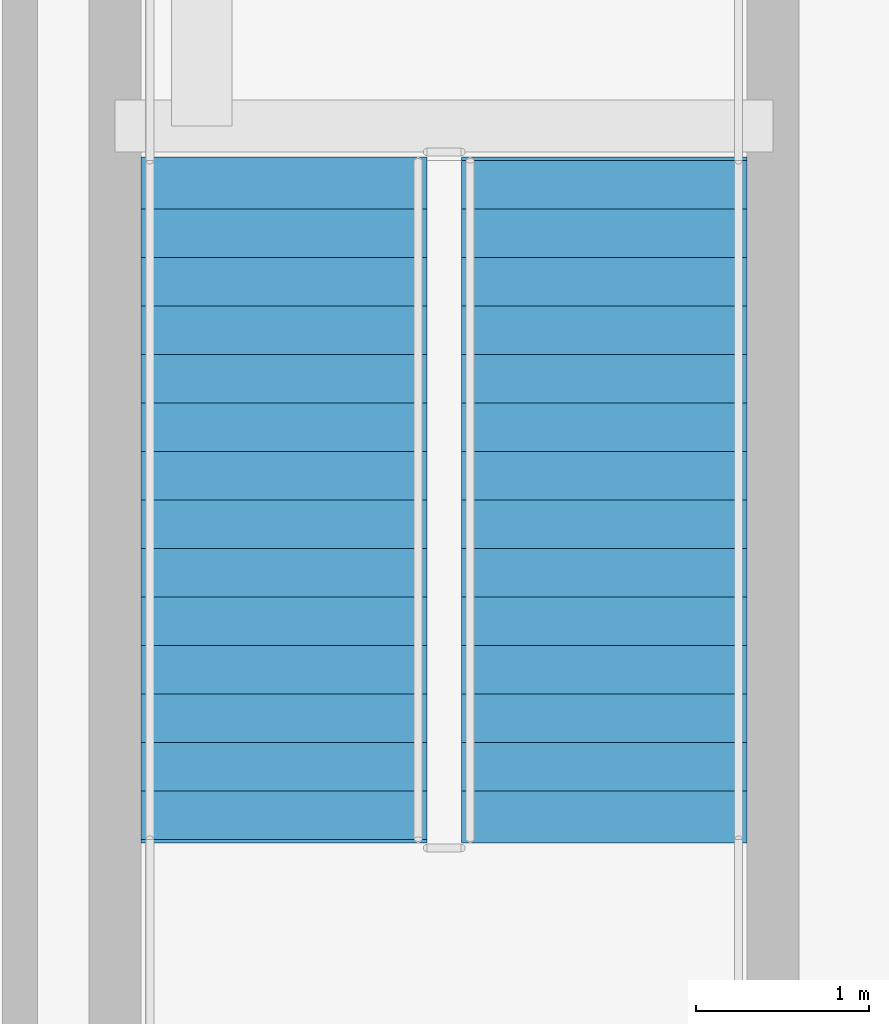
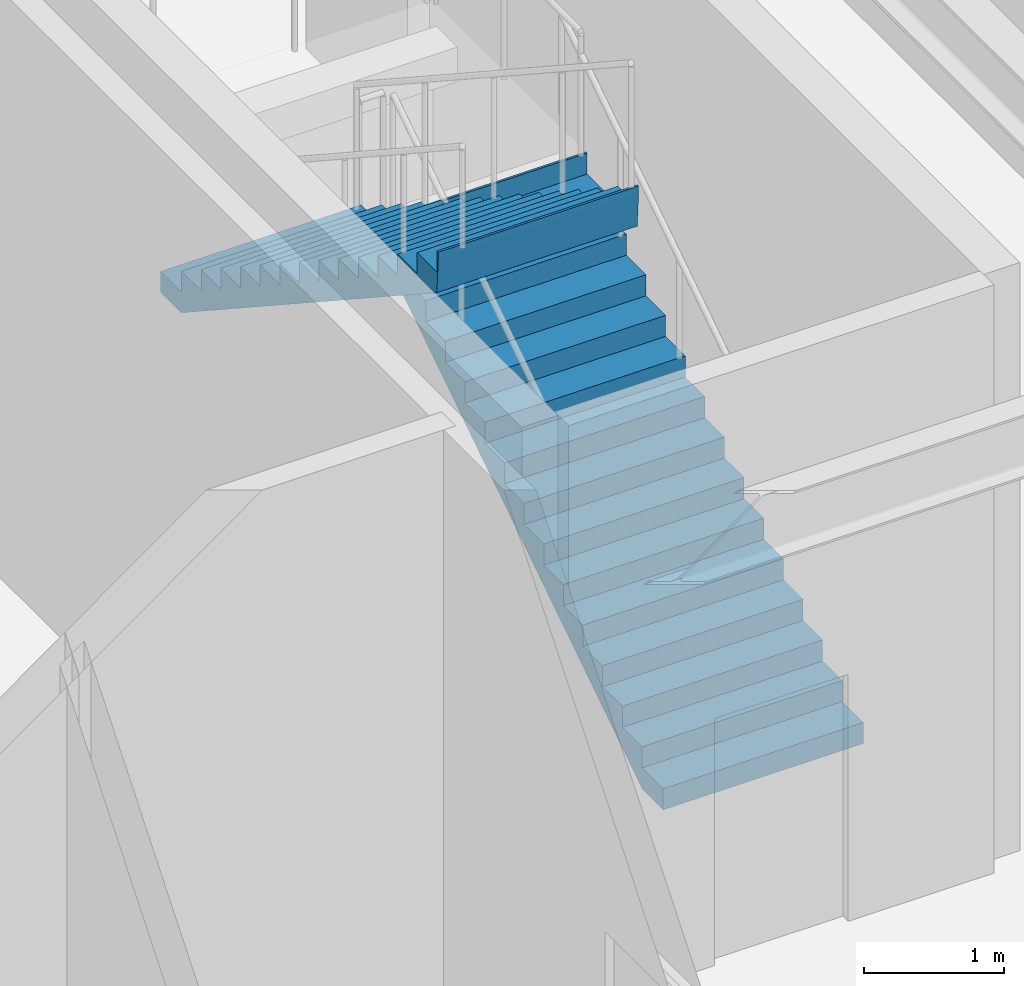
# One storey, part 10 of 15: 2 stair flights, 1 element without a shape of its own.
"""IFC4 building model written with IfcOpenShell, lengths in metres."""

from ifc_helpers import new_model, si_unit, direction, frame, origin, place, context, subcontext, project, spatial, polygons, material, type_object, element, aggregate, save


model = new_model("IFC4")

# Units and contexts
model_context = context("Model", 3, precision=1e-05, world=origin(), true_north=direction((0.0, 1.0)))
body_context = subcontext(model_context, "Body", "Model", "MODEL_VIEW")
ifc_project = project(units=[si_unit("LENGTHUNIT", "METRE"), si_unit("AREAUNIT", "SQUARE_METRE"), si_unit("VOLUMEUNIT", "CUBIC_METRE"), si_unit("PLANEANGLEUNIT", "RADIAN"), si_unit("MASSUNIT", "GRAM", prefix="KILO")], contexts=[model_context])

# Site, building, storey
site_placement = place(None, origin())
site = spatial("IfcSite", under=ifc_project, at=site_placement, CompositionType="ELEMENT")
building_placement = place(site_placement, origin())
building = spatial("IfcBuilding", under=site, at=building_placement, Name="Serunith Strait Residences", CompositionType="ELEMENT")
storey_placement = place(building_placement, origin())
storey = spatial("IfcBuildingStorey", under=building, at=storey_placement, Name="L00", CompositionType="ELEMENT", Elevation=0.0)

# Stair, stair flights
ifc_material = material(Name="Concrete C50/60", Category="concrete")
stair_type = type_object("IfcStairType", Name="STR-POD-4", PredefinedType="HALF_TURN_STAIR", material=ifc_material)
stair_placement = place(storey_placement, origin())
stair = element("IfcStair", 1, at=stair_placement, inside=storey, type_object=stair_type, Name="L00 Podium Escape Stair ST-4", PredefinedType="HALF_TURN_STAIR")
stair_flight_type = type_object("IfcStairFlightType", Name="FLT-POD-4", PredefinedType="STRAIGHT", material=ifc_material)
stair_flight_1_placement = place(storey_placement, frame((49.77490234375, 36.8798828125, 0.0), z_axis=(0.0, 0.0, 1.0), x_axis=(0.0, 1.0, 0.0)))
stair_flight_1 = element("IfcStairFlight", 2, at=stair_flight_1_placement, type_object=stair_flight_type, Name="ST-4 flight 1", NumberOfRisers=15, NumberOfTreads=14, PredefinedType="STRAIGHT", RiserHeight=0.183333333, TreadLength=0.28, context=body_context, shape_type="Tessellation", body=[
    polygons([(-0.02001953125, -0.824951171875, 0.0), (-0.02001953125, -0.824951171875, 0.183349609375), (0.280029296875, -0.824951171875, 0.183349609375), (0.280029296875, -0.824951171875, 0.36669921875), (0.56005859375, -0.824951171875, 0.36669921875), (0.56005859375, -0.824951171875, 0.550048828125), (0.840087890625, -0.824951171875, 0.550048828125), (0.840087890625, -0.824951171875, 0.7333984375), (1.1201171875, -0.824951171875, 0.7333984375), (1.1201171875, -0.824951171875, 0.916748046875), (1.39990234375, -0.824951171875, 0.916748046875), (1.39990234375, -0.824951171875, 1.10009765625), (1.679931640625, -0.824951171875, 1.10009765625), (1.679931640625, -0.824951171875, 1.283447265625), (1.9599609375, -0.824951171875, 1.283447265625), (1.9599609375, -0.824951171875, 1.466552734375), (2.239990234375, -0.824951171875, 1.466552734375), (2.239990234375, -0.824951171875, 1.64990234375), (2.52001953125, -0.824951171875, 1.64990234375), (2.52001953125, -0.824951171875, 1.833251953125), (2.800048828125, -0.824951171875, 1.833251953125), (2.800048828125, -0.824951171875, 2.0166015625), (3.080078125, -0.824951171875, 2.0166015625), (3.080078125, -0.824951171875, 2.199951171875), (3.360107421875, -0.824951171875, 2.199951171875), (3.360107421875, -0.824951171875, 2.38330078125), (3.639892578125, -0.824951171875, 2.38330078125), (3.639892578125, -0.824951171875, 2.566650390625), (3.919921875, -0.824951171875, 2.566650390625), (3.919921875, -0.824951171875, 2.75), (3.93994140625, -0.824951171875, 2.75), (3.93994140625, -0.824951171875, 2.68994140625), (3.919921875, -0.824951171875, 2.387451171875), (0.273681640625, -0.824951171875, 0.0), (-0.02001953125, -0.41259765625, 0.0), (-0.02001953125, -0.41259765625, 0.183349609375), (0.280029296875, -0.41259765625, 0.183349609375), (0.280029296875, -0.41259765625, 0.36669921875), (0.56005859375, -0.41259765625, 0.36669921875), (0.56005859375, -0.41259765625, 0.550048828125), (0.840087890625, -0.41259765625, 0.550048828125), (0.840087890625, -0.41259765625, 0.7333984375), (1.1201171875, -0.41259765625, 0.7333984375), (1.1201171875, -0.41259765625, 0.916748046875), (1.39990234375, -0.41259765625, 0.916748046875), (1.39990234375, -0.41259765625, 1.10009765625), (1.679931640625, -0.41259765625, 1.10009765625), (1.679931640625, -0.41259765625, 1.283447265625), (1.9599609375, -0.41259765625, 1.283447265625), (1.9599609375, -0.41259765625, 1.466552734375), (2.239990234375, -0.41259765625, 1.466552734375), (2.239990234375, -0.41259765625, 1.64990234375), (2.52001953125, -0.41259765625, 1.64990234375), (2.52001953125, -0.41259765625, 1.833251953125), (2.800048828125, -0.41259765625, 1.833251953125), (2.800048828125, -0.41259765625, 2.0166015625), (3.080078125, -0.41259765625, 2.0166015625), (3.080078125, -0.41259765625, 2.199951171875), (3.360107421875, -0.41259765625, 2.199951171875), (3.360107421875, -0.41259765625, 2.38330078125), (3.639892578125, -0.41259765625, 2.38330078125), (3.639892578125, -0.41259765625, 2.566650390625), (3.919921875, -0.41259765625, 2.566650390625), (3.919921875, -0.41259765625, 2.75), (3.93994140625, -0.41259765625, 2.75), (3.93994140625, -0.41259765625, 2.68994140625), (3.919921875, -0.41259765625, 2.387451171875), (0.273681640625, -0.41259765625, 0.0), (-0.02001953125, 0.0, 0.0), (-0.02001953125, 0.0, 0.183349609375), (0.280029296875, 0.0, 0.183349609375), (0.280029296875, 0.0, 0.36669921875), (0.56005859375, 0.0, 0.36669921875), (0.56005859375, 0.0, 0.550048828125), (0.840087890625, 0.0, 0.550048828125), (0.840087890625, 0.0, 0.7333984375), (1.1201171875, 0.0, 0.7333984375), (1.1201171875, 0.0, 0.916748046875), (1.39990234375, 0.0, 0.916748046875), (1.39990234375, 0.0, 1.10009765625), (1.679931640625, 0.0, 1.10009765625), (1.679931640625, 0.0, 1.283447265625), (1.9599609375, 0.0, 1.283447265625), (1.9599609375, 0.0, 1.466552734375), (2.239990234375, 0.0, 1.466552734375), (2.239990234375, 0.0, 1.64990234375), (2.52001953125, 0.0, 1.64990234375), (2.52001953125, 0.0, 1.833251953125), (2.800048828125, 0.0, 1.833251953125), (2.800048828125, 0.0, 2.0166015625), (3.080078125, 0.0, 2.0166015625), (3.080078125, 0.0, 2.199951171875), (3.360107421875, 0.0, 2.199951171875), (3.360107421875, 0.0, 2.38330078125), (3.639892578125, 0.0, 2.38330078125), (3.639892578125, 0.0, 2.566650390625), (3.919921875, 0.0, 2.566650390625), (3.919921875, 0.0, 2.75), (3.93994140625, 0.0, 2.75), (3.93994140625, 0.0, 2.68994140625), (3.919921875, 0.0, 2.387451171875), (0.273681640625, 0.0, 0.0), (-0.02001953125, 0.41259765625, 0.0), (-0.02001953125, 0.41259765625, 0.183349609375), (0.280029296875, 0.41259765625, 0.183349609375), (0.280029296875, 0.41259765625, 0.36669921875), (0.56005859375, 0.41259765625, 0.36669921875), (0.56005859375, 0.41259765625, 0.550048828125), (0.840087890625, 0.41259765625, 0.550048828125), (0.840087890625, 0.41259765625, 0.7333984375), (1.1201171875, 0.41259765625, 0.7333984375), (1.1201171875, 0.41259765625, 0.916748046875), (1.39990234375, 0.41259765625, 0.916748046875), (1.39990234375, 0.41259765625, 1.10009765625), (1.679931640625, 0.41259765625, 1.10009765625), (1.679931640625, 0.41259765625, 1.283447265625), (1.9599609375, 0.41259765625, 1.283447265625), (1.9599609375, 0.41259765625, 1.466552734375), (2.239990234375, 0.41259765625, 1.466552734375), (2.239990234375, 0.41259765625, 1.64990234375), (2.52001953125, 0.41259765625, 1.64990234375), (2.52001953125, 0.41259765625, 1.833251953125), (2.800048828125, 0.41259765625, 1.833251953125), (2.800048828125, 0.41259765625, 2.0166015625), (3.080078125, 0.41259765625, 2.0166015625), (3.080078125, 0.41259765625, 2.199951171875), (3.360107421875, 0.41259765625, 2.199951171875), (3.360107421875, 0.41259765625, 2.38330078125), (3.639892578125, 0.41259765625, 2.38330078125), (3.639892578125, 0.41259765625, 2.566650390625), (3.919921875, 0.41259765625, 2.566650390625), (3.919921875, 0.41259765625, 2.75), (3.93994140625, 0.41259765625, 2.75), (3.93994140625, 0.41259765625, 2.68994140625), (3.919921875, 0.41259765625, 2.387451171875), (0.273681640625, 0.41259765625, 0.0), (-0.02001953125, 0.824951171875, 0.0), (-0.02001953125, 0.824951171875, 0.183349609375), (0.280029296875, 0.824951171875, 0.183349609375), (0.280029296875, 0.824951171875, 0.36669921875), (0.56005859375, 0.824951171875, 0.36669921875), (0.56005859375, 0.824951171875, 0.550048828125), (0.840087890625, 0.824951171875, 0.550048828125), (0.840087890625, 0.824951171875, 0.7333984375), (1.1201171875, 0.824951171875, 0.7333984375), (1.1201171875, 0.824951171875, 0.916748046875), (1.39990234375, 0.824951171875, 0.916748046875), (1.39990234375, 0.824951171875, 1.10009765625), (1.679931640625, 0.824951171875, 1.10009765625), (1.679931640625, 0.824951171875, 1.283447265625), (1.9599609375, 0.824951171875, 1.283447265625), (1.9599609375, 0.824951171875, 1.466552734375), (2.239990234375, 0.824951171875, 1.466552734375), (2.239990234375, 0.824951171875, 1.64990234375), (2.52001953125, 0.824951171875, 1.64990234375), (2.52001953125, 0.824951171875, 1.833251953125), (2.800048828125, 0.824951171875, 1.833251953125), (2.800048828125, 0.824951171875, 2.0166015625), (3.080078125, 0.824951171875, 2.0166015625), (3.080078125, 0.824951171875, 2.199951171875), (3.360107421875, 0.824951171875, 2.199951171875), (3.360107421875, 0.824951171875, 2.38330078125), (3.639892578125, 0.824951171875, 2.38330078125), (3.639892578125, 0.824951171875, 2.566650390625), (3.919921875, 0.824951171875, 2.566650390625), (3.919921875, 0.824951171875, 2.75), (3.93994140625, 0.824951171875, 2.75), (3.93994140625, 0.824951171875, 2.68994140625), (3.919921875, 0.824951171875, 2.387451171875), (0.273681640625, 0.824951171875, 0.0)], [[[1, 2, 36, 35]], [[2, 3, 37, 36]], [[3, 4, 38, 37]], [[4, 5, 39, 38]], [[5, 6, 40, 39]], [[6, 7, 41, 40]], [[7, 8, 42, 41]], [[8, 9, 43, 42]], [[9, 10, 44, 43]], [[10, 11, 45, 44]], [[11, 12, 46, 45]], [[12, 13, 47, 46]], [[13, 14, 48, 47]], [[14, 15, 49, 48]], [[15, 16, 50, 49]], [[16, 17, 51, 50]], [[17, 18, 52, 51]], [[18, 19, 53, 52]], [[19, 20, 54, 53]], [[20, 21, 55, 54]], [[21, 22, 56, 55]], [[22, 23, 57, 56]], [[23, 24, 58, 57]], [[24, 25, 59, 58]], [[25, 26, 60, 59]], [[26, 27, 61, 60]], [[27, 28, 62, 61]], [[28, 29, 63, 62]], [[29, 30, 64, 63]], [[30, 31, 65, 64]], [[31, 32, 66, 65]], [[32, 33, 67, 66]], [[33, 34, 68, 67]], [[34, 1, 35, 68]], [[35, 36, 70, 69]], [[36, 37, 71, 70]], [[37, 38, 72, 71]], [[38, 39, 73, 72]], [[39, 40, 74, 73]], [[40, 41, 75, 74]], [[41, 42, 76, 75]], [[42, 43, 77, 76]], [[43, 44, 78, 77]], [[44, 45, 79, 78]], [[45, 46, 80, 79]], [[46, 47, 81, 80]], [[47, 48, 82, 81]], [[48, 49, 83, 82]], [[49, 50, 84, 83]], [[50, 51, 85, 84]], [[51, 52, 86, 85]], [[52, 53, 87, 86]], [[53, 54, 88, 87]], [[54, 55, 89, 88]], [[55, 56, 90, 89]], [[56, 57, 91, 90]], [[57, 58, 92, 91]], [[58, 59, 93, 92]], [[59, 60, 94, 93]], [[60, 61, 95, 94]], [[61, 62, 96, 95]], [[62, 63, 97, 96]], [[63, 64, 98, 97]], [[64, 65, 99, 98]], [[65, 66, 100, 99]], [[66, 67, 101, 100]], [[67, 68, 102, 101]], [[68, 35, 69, 102]], [[69, 70, 104, 103]], [[70, 71, 105, 104]], [[71, 72, 106, 105]], [[72, 73, 107, 106]], [[73, 74, 108, 107]], [[74, 75, 109, 108]], [[75, 76, 110, 109]], [[76, 77, 111, 110]], [[77, 78, 112, 111]], [[78, 79, 113, 112]], [[79, 80, 114, 113]], [[80, 81, 115, 114]], [[81, 82, 116, 115]], [[82, 83, 117, 116]], [[83, 84, 118, 117]], [[84, 85, 119, 118]], [[85, 86, 120, 119]], [[86, 87, 121, 120]], [[87, 88, 122, 121]], [[88, 89, 123, 122]], [[89, 90, 124, 123]], [[90, 91, 125, 124]], [[91, 92, 126, 125]], [[92, 93, 127, 126]], [[93, 94, 128, 127]], [[94, 95, 129, 128]], [[95, 96, 130, 129]], [[96, 97, 131, 130]], [[97, 98, 132, 131]], [[98, 99, 133, 132]], [[99, 100, 134, 133]], [[100, 101, 135, 134]], [[101, 102, 136, 135]], [[102, 69, 103, 136]], [[103, 104, 138, 137]], [[104, 105, 139, 138]], [[105, 106, 140, 139]], [[106, 107, 141, 140]], [[107, 108, 142, 141]], [[108, 109, 143, 142]], [[109, 110, 144, 143]], [[110, 111, 145, 144]], [[111, 112, 146, 145]], [[112, 113, 147, 146]], [[113, 114, 148, 147]], [[114, 115, 149, 148]], [[115, 116, 150, 149]], [[116, 117, 151, 150]], [[117, 118, 152, 151]], [[118, 119, 153, 152]], [[119, 120, 154, 153]], [[120, 121, 155, 154]], [[121, 122, 156, 155]], [[122, 123, 157, 156]], [[123, 124, 158, 157]], [[124, 125, 159, 158]], [[125, 126, 160, 159]], [[126, 127, 161, 160]], [[127, 128, 162, 161]], [[128, 129, 163, 162]], [[129, 130, 164, 163]], [[130, 131, 165, 164]], [[131, 132, 166, 165]], [[132, 133, 167, 166]], [[133, 134, 168, 167]], [[134, 135, 169, 168]], [[135, 136, 170, 169]], [[136, 103, 137, 170]], [[34, 33, 32, 31, 30, 29, 28, 27, 26, 25, 24, 23, 22, 21, 20, 19, 18, 17, 16, 15, 14, 13, 12, 11, 10, 9, 8, 7, 6, 5, 4, 3, 2, 1]], [[137, 138, 139, 140, 141, 142, 143, 144, 145, 146, 147, 148, 149, 150, 151, 152, 153, 154, 155, 156, 157, 158, 159, 160, 161, 162, 163, 164, 165, 166, 167, 168, 169, 170]]], closed=True),
])
stair_flight_2_placement = place(storey_placement, frame((47.925048828125, 40.800048828125, 2.75), z_axis=(0.0, 0.0, 1.0), x_axis=(0.0, -1.0, 0.0)))
stair_flight_2 = element("IfcStairFlight", 3, at=stair_flight_2_placement, type_object=stair_flight_type, Name="ST-4 flight 2", NumberOfRisers=15, NumberOfTreads=14, PredefinedType="STRAIGHT", RiserHeight=0.183333333, TreadLength=0.28, context=body_context, shape_type="Tessellation", body=[
    polygons([(-0.02001953125, -0.824951171875, 0.0), (-0.02001953125, -0.824951171875, 0.183349609375), (0.280029296875, -0.824951171875, 0.183349609375), (0.280029296875, -0.824951171875, 0.36669921875), (0.56005859375, -0.824951171875, 0.36669921875), (0.56005859375, -0.824951171875, 0.550048828125), (0.840087890625, -0.824951171875, 0.550048828125), (0.840087890625, -0.824951171875, 0.7333984375), (1.1201171875, -0.824951171875, 0.7333984375), (1.1201171875, -0.824951171875, 0.916748046875), (1.39990234375, -0.824951171875, 0.916748046875), (1.39990234375, -0.824951171875, 1.10009765625), (1.679931640625, -0.824951171875, 1.10009765625), (1.679931640625, -0.824951171875, 1.283447265625), (1.9599609375, -0.824951171875, 1.283447265625), (1.9599609375, -0.824951171875, 1.466552734375), (2.239990234375, -0.824951171875, 1.466552734375), (2.239990234375, -0.824951171875, 1.64990234375), (2.52001953125, -0.824951171875, 1.64990234375), (2.52001953125, -0.824951171875, 1.833251953125), (2.800048828125, -0.824951171875, 1.833251953125), (2.800048828125, -0.824951171875, 2.0166015625), (3.080078125, -0.824951171875, 2.0166015625), (3.080078125, -0.824951171875, 2.199951171875), (3.360107421875, -0.824951171875, 2.199951171875), (3.360107421875, -0.824951171875, 2.38330078125), (3.639892578125, -0.824951171875, 2.38330078125), (3.639892578125, -0.824951171875, 2.566650390625), (3.919921875, -0.824951171875, 2.566650390625), (3.919921875, -0.824951171875, 2.75), (3.93994140625, -0.824951171875, 2.75), (3.93994140625, -0.824951171875, 2.68994140625), (3.919921875, -0.824951171875, 2.387451171875), (0.273681640625, -0.824951171875, 0.0), (-0.02001953125, -0.41259765625, 0.0), (-0.02001953125, -0.41259765625, 0.183349609375), (0.280029296875, -0.41259765625, 0.183349609375), (0.280029296875, -0.41259765625, 0.36669921875), (0.56005859375, -0.41259765625, 0.36669921875), (0.56005859375, -0.41259765625, 0.550048828125), (0.840087890625, -0.41259765625, 0.550048828125), (0.840087890625, -0.41259765625, 0.7333984375), (1.1201171875, -0.41259765625, 0.7333984375), (1.1201171875, -0.41259765625, 0.916748046875), (1.39990234375, -0.41259765625, 0.916748046875), (1.39990234375, -0.41259765625, 1.10009765625), (1.679931640625, -0.41259765625, 1.10009765625), (1.679931640625, -0.41259765625, 1.283447265625), (1.9599609375, -0.41259765625, 1.283447265625), (1.9599609375, -0.41259765625, 1.466552734375), (2.239990234375, -0.41259765625, 1.466552734375), (2.239990234375, -0.41259765625, 1.64990234375), (2.52001953125, -0.41259765625, 1.64990234375), (2.52001953125, -0.41259765625, 1.833251953125), (2.800048828125, -0.41259765625, 1.833251953125), (2.800048828125, -0.41259765625, 2.0166015625), (3.080078125, -0.41259765625, 2.0166015625), (3.080078125, -0.41259765625, 2.199951171875), (3.360107421875, -0.41259765625, 2.199951171875), (3.360107421875, -0.41259765625, 2.38330078125), (3.639892578125, -0.41259765625, 2.38330078125), (3.639892578125, -0.41259765625, 2.566650390625), (3.919921875, -0.41259765625, 2.566650390625), (3.919921875, -0.41259765625, 2.75), (3.93994140625, -0.41259765625, 2.75), (3.93994140625, -0.41259765625, 2.68994140625), (3.919921875, -0.41259765625, 2.387451171875), (0.273681640625, -0.41259765625, 0.0), (-0.02001953125, 0.0, 0.0), (-0.02001953125, 0.0, 0.183349609375), (0.280029296875, 0.0, 0.183349609375), (0.280029296875, 0.0, 0.36669921875), (0.56005859375, 0.0, 0.36669921875), (0.56005859375, 0.0, 0.550048828125), (0.840087890625, 0.0, 0.550048828125), (0.840087890625, 0.0, 0.7333984375), (1.1201171875, 0.0, 0.7333984375), (1.1201171875, 0.0, 0.916748046875), (1.39990234375, 0.0, 0.916748046875), (1.39990234375, 0.0, 1.10009765625), (1.679931640625, 0.0, 1.10009765625), (1.679931640625, 0.0, 1.283447265625), (1.9599609375, 0.0, 1.283447265625), (1.9599609375, 0.0, 1.466552734375), (2.239990234375, 0.0, 1.466552734375), (2.239990234375, 0.0, 1.64990234375), (2.52001953125, 0.0, 1.64990234375), (2.52001953125, 0.0, 1.833251953125), (2.800048828125, 0.0, 1.833251953125), (2.800048828125, 0.0, 2.0166015625), (3.080078125, 0.0, 2.0166015625), (3.080078125, 0.0, 2.199951171875), (3.360107421875, 0.0, 2.199951171875), (3.360107421875, 0.0, 2.38330078125), (3.639892578125, 0.0, 2.38330078125), (3.639892578125, 0.0, 2.566650390625), (3.919921875, 0.0, 2.566650390625), (3.919921875, 0.0, 2.75), (3.93994140625, 0.0, 2.75), (3.93994140625, 0.0, 2.68994140625), (3.919921875, 0.0, 2.387451171875), (0.273681640625, 0.0, 0.0), (-0.02001953125, 0.41259765625, 0.0), (-0.02001953125, 0.41259765625, 0.183349609375), (0.280029296875, 0.41259765625, 0.183349609375), (0.280029296875, 0.41259765625, 0.36669921875), (0.56005859375, 0.41259765625, 0.36669921875), (0.56005859375, 0.41259765625, 0.550048828125), (0.840087890625, 0.41259765625, 0.550048828125), (0.840087890625, 0.41259765625, 0.7333984375), (1.1201171875, 0.41259765625, 0.7333984375), (1.1201171875, 0.41259765625, 0.916748046875), (1.39990234375, 0.41259765625, 0.916748046875), (1.39990234375, 0.41259765625, 1.10009765625), (1.679931640625, 0.41259765625, 1.10009765625), (1.679931640625, 0.41259765625, 1.283447265625), (1.9599609375, 0.41259765625, 1.283447265625), (1.9599609375, 0.41259765625, 1.466552734375), (2.239990234375, 0.41259765625, 1.466552734375), (2.239990234375, 0.41259765625, 1.64990234375), (2.52001953125, 0.41259765625, 1.64990234375), (2.52001953125, 0.41259765625, 1.833251953125), (2.800048828125, 0.41259765625, 1.833251953125), (2.800048828125, 0.41259765625, 2.0166015625), (3.080078125, 0.41259765625, 2.0166015625), (3.080078125, 0.41259765625, 2.199951171875), (3.360107421875, 0.41259765625, 2.199951171875), (3.360107421875, 0.41259765625, 2.38330078125), (3.639892578125, 0.41259765625, 2.38330078125), (3.639892578125, 0.41259765625, 2.566650390625), (3.919921875, 0.41259765625, 2.566650390625), (3.919921875, 0.41259765625, 2.75), (3.93994140625, 0.41259765625, 2.75), (3.93994140625, 0.41259765625, 2.68994140625), (3.919921875, 0.41259765625, 2.387451171875), (0.273681640625, 0.41259765625, 0.0), (-0.02001953125, 0.824951171875, 0.0), (-0.02001953125, 0.824951171875, 0.183349609375), (0.280029296875, 0.824951171875, 0.183349609375), (0.280029296875, 0.824951171875, 0.36669921875), (0.56005859375, 0.824951171875, 0.36669921875), (0.56005859375, 0.824951171875, 0.550048828125), (0.840087890625, 0.824951171875, 0.550048828125), (0.840087890625, 0.824951171875, 0.7333984375), (1.1201171875, 0.824951171875, 0.7333984375), (1.1201171875, 0.824951171875, 0.916748046875), (1.39990234375, 0.824951171875, 0.916748046875), (1.39990234375, 0.824951171875, 1.10009765625), (1.679931640625, 0.824951171875, 1.10009765625), (1.679931640625, 0.824951171875, 1.283447265625), (1.9599609375, 0.824951171875, 1.283447265625), (1.9599609375, 0.824951171875, 1.466552734375), (2.239990234375, 0.824951171875, 1.466552734375), (2.239990234375, 0.824951171875, 1.64990234375), (2.52001953125, 0.824951171875, 1.64990234375), (2.52001953125, 0.824951171875, 1.833251953125), (2.800048828125, 0.824951171875, 1.833251953125), (2.800048828125, 0.824951171875, 2.0166015625), (3.080078125, 0.824951171875, 2.0166015625), (3.080078125, 0.824951171875, 2.199951171875), (3.360107421875, 0.824951171875, 2.199951171875), (3.360107421875, 0.824951171875, 2.38330078125), (3.639892578125, 0.824951171875, 2.38330078125), (3.639892578125, 0.824951171875, 2.566650390625), (3.919921875, 0.824951171875, 2.566650390625), (3.919921875, 0.824951171875, 2.75), (3.93994140625, 0.824951171875, 2.75), (3.93994140625, 0.824951171875, 2.68994140625), (3.919921875, 0.824951171875, 2.387451171875), (0.273681640625, 0.824951171875, 0.0)], [[[1, 2, 36, 35]], [[2, 3, 37, 36]], [[3, 4, 38, 37]], [[4, 5, 39, 38]], [[5, 6, 40, 39]], [[6, 7, 41, 40]], [[7, 8, 42, 41]], [[8, 9, 43, 42]], [[9, 10, 44, 43]], [[10, 11, 45, 44]], [[11, 12, 46, 45]], [[12, 13, 47, 46]], [[13, 14, 48, 47]], [[14, 15, 49, 48]], [[15, 16, 50, 49]], [[16, 17, 51, 50]], [[17, 18, 52, 51]], [[18, 19, 53, 52]], [[19, 20, 54, 53]], [[20, 21, 55, 54]], [[21, 22, 56, 55]], [[22, 23, 57, 56]], [[23, 24, 58, 57]], [[24, 25, 59, 58]], [[25, 26, 60, 59]], [[26, 27, 61, 60]], [[27, 28, 62, 61]], [[28, 29, 63, 62]], [[29, 30, 64, 63]], [[30, 31, 65, 64]], [[31, 32, 66, 65]], [[32, 33, 67, 66]], [[33, 34, 68, 67]], [[34, 1, 35, 68]], [[35, 36, 70, 69]], [[36, 37, 71, 70]], [[37, 38, 72, 71]], [[38, 39, 73, 72]], [[39, 40, 74, 73]], [[40, 41, 75, 74]], [[41, 42, 76, 75]], [[42, 43, 77, 76]], [[43, 44, 78, 77]], [[44, 45, 79, 78]], [[45, 46, 80, 79]], [[46, 47, 81, 80]], [[47, 48, 82, 81]], [[48, 49, 83, 82]], [[49, 50, 84, 83]], [[50, 51, 85, 84]], [[51, 52, 86, 85]], [[52, 53, 87, 86]], [[53, 54, 88, 87]], [[54, 55, 89, 88]], [[55, 56, 90, 89]], [[56, 57, 91, 90]], [[57, 58, 92, 91]], [[58, 59, 93, 92]], [[59, 60, 94, 93]], [[60, 61, 95, 94]], [[61, 62, 96, 95]], [[62, 63, 97, 96]], [[63, 64, 98, 97]], [[64, 65, 99, 98]], [[65, 66, 100, 99]], [[66, 67, 101, 100]], [[67, 68, 102, 101]], [[68, 35, 69, 102]], [[69, 70, 104, 103]], [[70, 71, 105, 104]], [[71, 72, 106, 105]], [[72, 73, 107, 106]], [[73, 74, 108, 107]], [[74, 75, 109, 108]], [[75, 76, 110, 109]], [[76, 77, 111, 110]], [[77, 78, 112, 111]], [[78, 79, 113, 112]], [[79, 80, 114, 113]], [[80, 81, 115, 114]], [[81, 82, 116, 115]], [[82, 83, 117, 116]], [[83, 84, 118, 117]], [[84, 85, 119, 118]], [[85, 86, 120, 119]], [[86, 87, 121, 120]], [[87, 88, 122, 121]], [[88, 89, 123, 122]], [[89, 90, 124, 123]], [[90, 91, 125, 124]], [[91, 92, 126, 125]], [[92, 93, 127, 126]], [[93, 94, 128, 127]], [[94, 95, 129, 128]], [[95, 96, 130, 129]], [[96, 97, 131, 130]], [[97, 98, 132, 131]], [[98, 99, 133, 132]], [[99, 100, 134, 133]], [[100, 101, 135, 134]], [[101, 102, 136, 135]], [[102, 69, 103, 136]], [[103, 104, 138, 137]], [[104, 105, 139, 138]], [[105, 106, 140, 139]], [[106, 107, 141, 140]], [[107, 108, 142, 141]], [[108, 109, 143, 142]], [[109, 110, 144, 143]], [[110, 111, 145, 144]], [[111, 112, 146, 145]], [[112, 113, 147, 146]], [[113, 114, 148, 147]], [[114, 115, 149, 148]], [[115, 116, 150, 149]], [[116, 117, 151, 150]], [[117, 118, 152, 151]], [[118, 119, 153, 152]], [[119, 120, 154, 153]], [[120, 121, 155, 154]], [[121, 122, 156, 155]], [[122, 123, 157, 156]], [[123, 124, 158, 157]], [[124, 125, 159, 158]], [[125, 126, 160, 159]], [[126, 127, 161, 160]], [[127, 128, 162, 161]], [[128, 129, 163, 162]], [[129, 130, 164, 163]], [[130, 131, 165, 164]], [[131, 132, 166, 165]], [[132, 133, 167, 166]], [[133, 134, 168, 167]], [[134, 135, 169, 168]], [[135, 136, 170, 169]], [[136, 103, 137, 170]], [[34, 33, 32, 31, 30, 29, 28, 27, 26, 25, 24, 23, 22, 21, 20, 19, 18, 17, 16, 15, 14, 13, 12, 11, 10, 9, 8, 7, 6, 5, 4, 3, 2, 1]], [[137, 138, 139, 140, 141, 142, 143, 144, 145, 146, 147, 148, 149, 150, 151, 152, 153, 154, 155, 156, 157, 158, 159, 160, 161, 162, 163, 164, 165, 166, 167, 168, 169, 170]]], closed=True),
])
aggregate(stair, [stair_flight_1, stair_flight_2])

save(model, "model.ifc")
